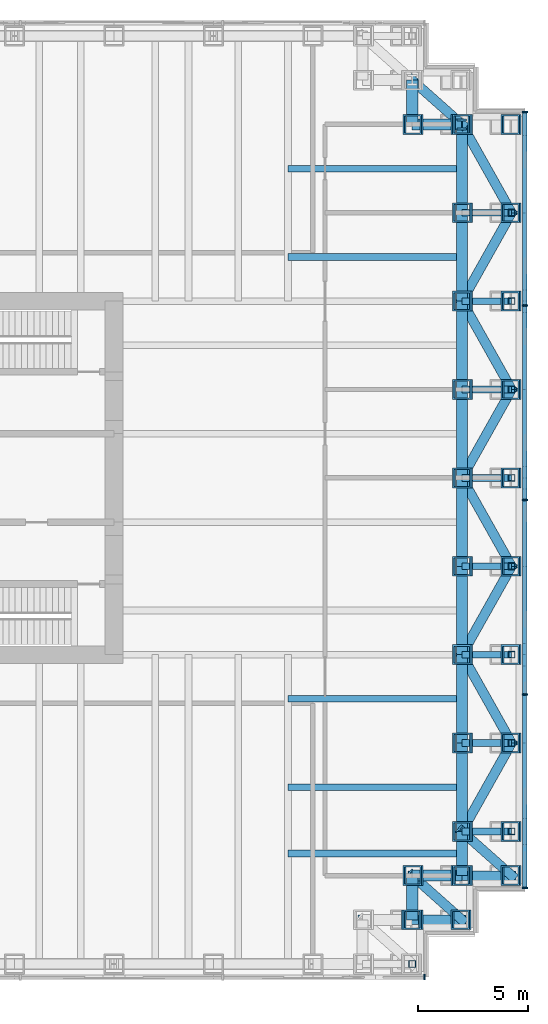
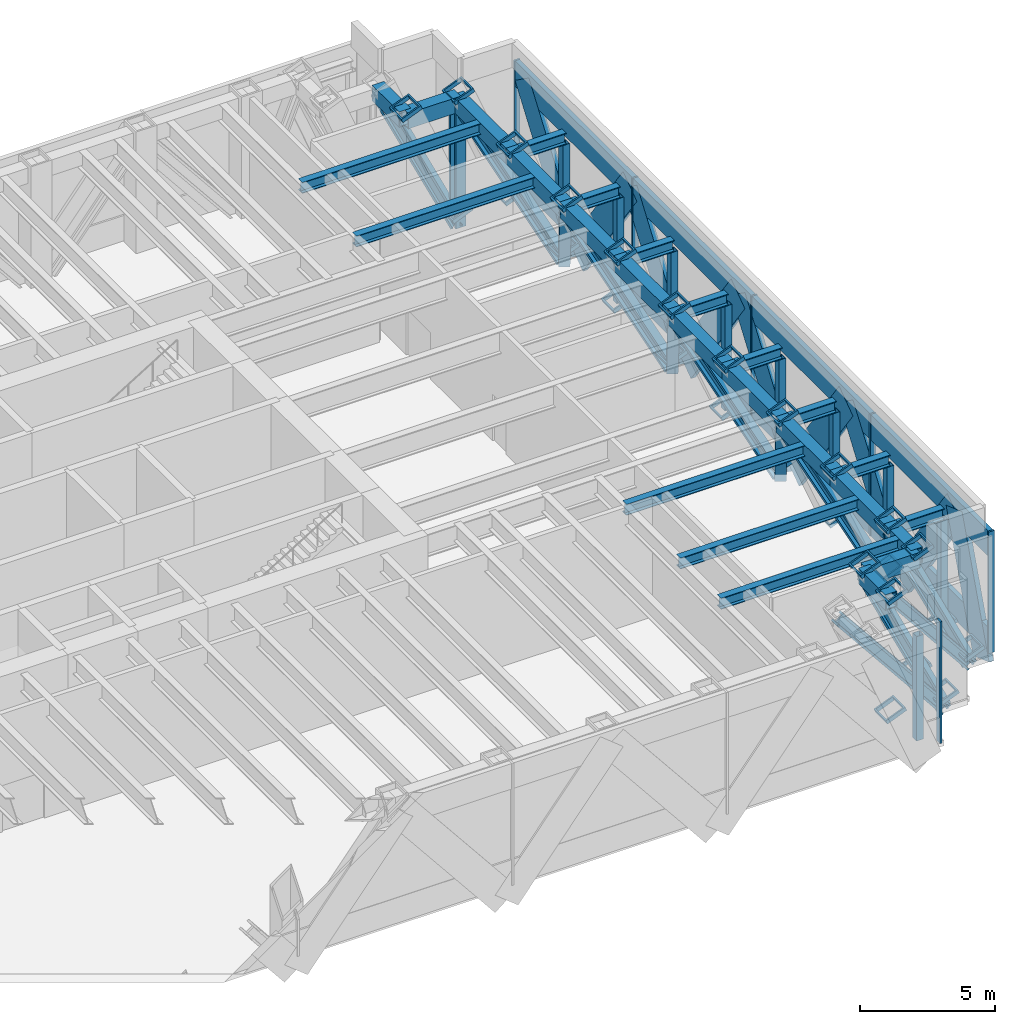
# One storey, part 7 of 17: 73 members, 26 beams, 2 elements without a shape of their own.
"""IFC4 building model written with IfcOpenShell, lengths in metres."""

from ifc_helpers import new_model, si_unit, direction, frame, origin, origin_2d, place, context, subcontext, project, spatial, rectangle, hollow_rectangle, i_section, extrude, material, material_profile, profile_set, type_object, element, aggregate, save


model = new_model("IFC4")

# Units and contexts
model_context = context("Model", 3, precision=1e-05, world=origin(), true_north=direction((0.0, 1.0)))
body_context = subcontext(model_context, "Body", "Model", "MODEL_VIEW")
ifc_project = project(units=[si_unit("LENGTHUNIT", "METRE"), si_unit("AREAUNIT", "SQUARE_METRE"), si_unit("VOLUMEUNIT", "CUBIC_METRE"), si_unit("PLANEANGLEUNIT", "RADIAN"), si_unit("MASSUNIT", "GRAM", prefix="KILO")], contexts=[model_context])

# Site, building, storey
site_placement = place(None, origin())
site = spatial("IfcSite", under=ifc_project, at=site_placement, CompositionType="ELEMENT")
building_placement = place(site_placement, origin())
building = spatial("IfcBuilding", under=site, at=building_placement, Name="Rheinbord Bourse Tower", CompositionType="ELEMENT")
storey_placement = place(building_placement, frame((0.0, 0.0, 265.60009765625)))
storey = spatial("IfcBuildingStorey", under=building, at=storey_placement, Name="L60", CompositionType="ELEMENT", Elevation=265.60009765625)

# Beams
ifc_material_1 = material(Name="Steel S460M", Category="steel")
ifc_material_profile_1 = material_profile(ifc_material_1, hollow_rectangle(XDim=0.5, YDim=0.699951171875, WallThickness=0.0400390625, at=origin_2d()), Name="BOX 700x500x40")
ifc_profile_set_1 = profile_set([ifc_material_profile_1], Name="Steel S460M")
beam_type_1 = type_object("IfcBeamType", Name="BELT CHORD BOX 700x500x40", PredefinedType="SPANDREL", material=ifc_profile_set_1)
beam_1_placement = place(storey_placement, frame((67.5, 4.0, 4.989990234375), z_axis=(0.0, 1.0, 0.0), x_axis=(-1.0, 0.0, 0.0)))
element("IfcBeam", 1, at=beam_1_placement, inside=storey, type_object=beam_type_1, Name="Spandrel SE-C-SE-B under L61", PredefinedType="SPANDREL", context=body_context, shape_type="SweptSolid", body=[
    extrude(hollow_rectangle(XDim=0.5, YDim=0.699951171875, WallThickness=0.0400390625, at=origin_2d()), origin(), (0.0, 0.0, 1.0), 2.0),
])
beam_2_placement = place(storey_placement, frame((67.5, 6.0, 4.989990234375), z_axis=(1.0, 0.0, 0.0), x_axis=(0.0, 1.0, 0.0)))
element("IfcBeam", 2, at=beam_2_placement, inside=storey, type_object=beam_type_1, Name="Spandrel SE-B-SE-A under L61", PredefinedType="SPANDREL", context=body_context, shape_type="SweptSolid", body=[
    extrude(hollow_rectangle(XDim=0.5, YDim=0.699951171875, WallThickness=0.0400390625, at=origin_2d()), origin(), (0.0, 0.0, 1.0), 2.25),
])
beam_3_placement = place(storey_placement, frame((69.75, 6.0, 4.989990234375), z_axis=(0.0, 1.0, 0.0), x_axis=(-1.0, 0.0, 0.0)))
element("IfcBeam", 3, at=beam_3_placement, inside=storey, type_object=beam_type_1, Name="Spandrel SE-A-E-8 under L61", PredefinedType="SPANDREL", context=body_context, shape_type="SweptSolid", body=[
    extrude(hollow_rectangle(XDim=0.5, YDim=0.699951171875, WallThickness=0.0400390625, at=origin_2d()), origin(), (0.0, 0.0, 1.0), 2.0),
])
for number, where, z_axis, x_axis, name in (
    (4, (69.75, 8.0, 4.989990234375), (0.0, 1.0, 0.0), (-1.0, 0.0, 0.0), "Spandrel E-8-E-12 under L61"),
    (5, (69.75, 12.0, 4.989990234375), (0.0, 1.0, 0.0), (-1.0, 0.0, 0.0), "Spandrel E-12-E-16 under L61"),
    (6, (69.75, 16.0, 4.989990234375), (0.0, 1.0, 0.0), (-1.0, 0.0, 0.0), "Spandrel E-16-E-20 under L61"),
    (7, (69.75, 20.0, 4.989990234375), (0.0, 1.0, 0.0), (-1.0, 0.0, 0.0), "Spandrel E-20-E-24 under L61"),
    (8, (69.75, 24.0, 4.989990234375), (0.0, 1.0, 0.0), (-1.0, 0.0, 0.0), "Spandrel E-24-E-28 under L61"),
    (9, (69.75, 28.0, 4.989990234375), (0.0, 1.0, 0.0), (-1.0, 0.0, 0.0), "Spandrel E-28-E-32 under L61"),
    (10, (69.75, 32.0, 4.989990234375), (0.0, 1.0, 0.0), (-1.0, 0.0, 0.0), "Spandrel E-32-E-36 under L61"),
    (11, (69.75, 36.0, 4.989990234375), (0.0, 1.0, 0.0), (-1.0, 0.0, 0.0), "Spandrel E-36-NE-A under L61"),
):
    element("IfcBeam", number, at=place(storey_placement, frame(where, z_axis=z_axis, x_axis=x_axis)), inside=storey, type_object=beam_type_1, Name=name, PredefinedType="SPANDREL", context=body_context, shape_type="SweptSolid", body=[
        extrude(hollow_rectangle(XDim=0.5, YDim=0.699951171875, WallThickness=0.0400390625, at=origin_2d()), origin(), (0.0, 0.0, 1.0), 4.0),
    ])
beam_4_placement = place(storey_placement, frame((69.75, 40.0, 4.989990234375), z_axis=(-1.0, 0.0, 0.0), x_axis=(0.0, -1.0, 0.0)))
element("IfcBeam", 12, at=beam_4_placement, inside=storey, type_object=beam_type_1, Name="Spandrel NE-A-NE-B under L61", PredefinedType="SPANDREL", context=body_context, shape_type="SweptSolid", body=[
    extrude(hollow_rectangle(XDim=0.5, YDim=0.699951171875, WallThickness=0.0400390625, at=origin_2d()), origin(), (0.0, 0.0, 1.0), 2.25),
])
beam_5_placement = place(storey_placement, frame((67.5, 40.0, 4.989990234375), z_axis=(0.0, 1.0, 0.0), x_axis=(-1.0, 0.0, 0.0)))
element("IfcBeam", 13, at=beam_5_placement, inside=storey, type_object=beam_type_1, Name="Spandrel NE-B-NE-C under L61", PredefinedType="SPANDREL", context=body_context, shape_type="SweptSolid", body=[
    extrude(hollow_rectangle(XDim=0.5, YDim=0.699951171875, WallThickness=0.0400390625, at=origin_2d()), origin(), (0.0, 0.0, 1.0), 2.0),
])

# Members
ifc_material_2 = material(Name="Steel S460", Category="steel")
ifc_material_profile_2 = material_profile(ifc_material_2, i_section(OverallWidth=0.431884765625, OverallDepth=0.498046875, WebThickness=0.0556640625, FlangeThickness=0.0888671875, at=origin_2d()), Name="HD 400x744")
ifc_profile_set_2 = profile_set([ifc_material_profile_2], Name="Steel S460")
member_type_1 = type_object("IfcMemberType", Name="BELT DIAGONAL HD 400x744", PredefinedType="STRUT", material=ifc_profile_set_2)
member_1_placement = place(storey_placement, frame((69.75, 4.0, -0.60009765625), z_axis=(-0.627065297878, 0.0, 0.778966695178), x_axis=(0.0, -1.0, 0.0)))
element("IfcMember", 14, at=member_1_placement, inside=storey, type_object=member_type_1, Name="Belt truss diagonal SE-D-SE-C L60", PredefinedType="STRUT", context=body_context, shape_type="SweptSolid", body=[
    extrude(i_section(OverallWidth=0.431884765625, OverallDepth=0.498046875, WebThickness=0.0556640625, FlangeThickness=0.0888671875, at=origin_2d()), origin(), (0.0, 0.0, 1.0), 7.17626953125),
])
member_2_placement = place(storey_placement, frame((69.75, 4.0, -0.60009765625), z_axis=(-0.35437868618, 0.315003276604, 0.880448001026), x_axis=(-0.66436383883, -0.747409318684, 0.0)))
element("IfcMember", 15, at=member_2_placement, inside=storey, type_object=member_type_1, Name="Belt truss diagonal SE-C-SE-B L60", PredefinedType="STRUT", context=body_context, shape_type="SweptSolid", body=[
    extrude(i_section(OverallWidth=0.431884765625, OverallDepth=0.498046875, WebThickness=0.0556640625, FlangeThickness=0.0888671875, at=origin_2d()), origin(), (0.0, 0.0, 1.0), 6.34912109375),
])
member_3_placement = place(storey_placement, frame((72.0, 6.0, -0.60009765625), z_axis=(-0.627065297878, 0.0, 0.778966695178), x_axis=(0.0, -1.0, 0.0)))
element("IfcMember", 16, at=member_3_placement, inside=storey, type_object=member_type_1, Name="Belt truss diagonal SE-B-SE-A L60", PredefinedType="STRUT", context=body_context, shape_type="SweptSolid", body=[
    extrude(i_section(OverallWidth=0.431884765625, OverallDepth=0.498046875, WebThickness=0.0556640625, FlangeThickness=0.0888671875, at=origin_2d()), origin(), (0.0, 0.0, 1.0), 7.17626953125),
])
member_4_placement = place(storey_placement, frame((72.0, 6.0, -0.60009765625), z_axis=(-0.35437868618, 0.315003276604, 0.880448001026), x_axis=(-0.66436383883, -0.747409318684, 0.0)))
element("IfcMember", 17, at=member_4_placement, inside=storey, type_object=member_type_1, Name="Belt truss diagonal SE-A-E-8 L60", PredefinedType="STRUT", context=body_context, shape_type="SweptSolid", body=[
    extrude(i_section(OverallWidth=0.431884765625, OverallDepth=0.498046875, WebThickness=0.0556640625, FlangeThickness=0.0888671875, at=origin_2d()), origin(), (0.0, 0.0, 1.0), 6.34912109375),
])
for number, where, z_axis, x_axis, name in (
    (18, (72.0, 12.0, -0.60009765625), (-0.311088236121, -0.553045753105, 0.772893591848), (0.871575537125, -0.490261239633, 0.0), "Belt truss diagonal E-8-E-12 L60"),
    (19, (72.0, 12.0, -0.60009765625), (-0.311088236121, 0.553045753105, 0.772893591848), (-0.871575537125, -0.490261239633, 0.0), "Belt truss diagonal E-12-E-16 L60"),
    (20, (72.0, 20.0, -0.60009765625), (-0.311088236121, -0.553045753105, 0.772893591848), (0.871575537125, -0.490261239633, 0.0), "Belt truss diagonal E-16-E-20 L60"),
    (21, (72.0, 20.0, -0.60009765625), (-0.311088236121, 0.553045753105, 0.772893591848), (-0.871575537125, -0.490261239633, 0.0), "Belt truss diagonal E-20-E-24 L60"),
    (22, (72.0, 28.0, -0.60009765625), (-0.311088236121, -0.553045753105, 0.772893591848), (0.871575537125, -0.490261239633, 0.0), "Belt truss diagonal E-24-E-28 L60"),
    (23, (72.0, 28.0, -0.60009765625), (-0.311088236121, 0.553045753105, 0.772893591848), (-0.871575537125, -0.490261239633, 0.0), "Belt truss diagonal E-28-E-32 L60"),
    (24, (72.0, 36.0, -0.60009765625), (-0.311088236121, -0.553045753105, 0.772893591848), (0.871575537125, -0.490261239633, 0.0), "Belt truss diagonal E-32-E-36 L60"),
    (25, (72.0, 36.0, -0.60009765625), (-0.311088236121, 0.553045753105, 0.772893591848), (-0.871575537125, -0.490261239633, 0.0), "Belt truss diagonal E-36-NE-A L60"),
):
    element("IfcMember", number, at=place(storey_placement, frame(where, z_axis=z_axis, x_axis=x_axis)), inside=storey, type_object=member_type_1, Name=name, PredefinedType="STRUT", context=body_context, shape_type="SweptSolid", body=[
        extrude(i_section(OverallWidth=0.431884765625, OverallDepth=0.498046875, WebThickness=0.0556640625, FlangeThickness=0.0888671875, at=origin_2d()), origin(), (0.0, 0.0, 1.0), 7.232666015625),
    ])
member_5_placement = place(storey_placement, frame((69.75, 40.0, -0.60009765625), z_axis=(0.0, 0.0, 1.0), x_axis=(1.0, 0.0, 0.0)))
element("IfcMember", 26, at=member_5_placement, inside=storey, type_object=member_type_1, Name="Belt truss diagonal NE-A-NE-B L60", PredefinedType="STRUT", context=body_context, shape_type="SweptSolid", body=[
    extrude(i_section(OverallWidth=0.431884765625, OverallDepth=0.498046875, WebThickness=0.0556640625, FlangeThickness=0.0888671875, at=origin_2d()), origin(), (0.0, 0.0, 1.0), 5.590087890625),
])
member_6_placement = place(storey_placement, frame((69.75, 40.0, -0.60009765625), z_axis=(-0.35437868618, 0.315003276604, 0.880448001026), x_axis=(-0.66436383883, -0.747409318684, 0.0)))
element("IfcMember", 27, at=member_6_placement, inside=storey, type_object=member_type_1, Name="Belt truss diagonal NE-B-NE-C L60", PredefinedType="STRUT", context=body_context, shape_type="SweptSolid", body=[
    extrude(i_section(OverallWidth=0.431884765625, OverallDepth=0.498046875, WebThickness=0.0556640625, FlangeThickness=0.0888671875, at=origin_2d()), origin(), (0.0, 0.0, 1.0), 6.34912109375),
])

# Curtain wall, members
ifc_material_3 = material(Name="Dark glass and black aluminium", Category="aluminium")
curtain_wall_type = type_object("IfcCurtainWallType", Name="CW5 DARK GLASS CURTAIN WALL", PredefinedType="USERDEFINED", material=ifc_material_3)
curtain_wall_1_placement = place(storey_placement, origin())
curtain_wall_1 = element("IfcCurtainWall", 28, at=curtain_wall_1_placement, inside=storey, type_object=curtain_wall_type, Name="Curtain wall CW5 E L60", ObjectType="UNITISED CURTAIN WALL", PredefinedType="USERDEFINED")
ifc_material_4 = material(Name="Black anodised aluminium", Category="aluminium")
ifc_material_profile_3 = material_profile(ifc_material_4, rectangle(XDim=0.199951171875, YDim=1.259033203125, at=origin_2d()), Name="CW5 DIAGONAL MULLION 1259x200")
ifc_profile_set_3 = profile_set([ifc_material_profile_3], Name="Black anodised aluminium")
member_type_2 = type_object("IfcMemberType", Name="CW5 BLACK DIAGONAL MULLION", PredefinedType="USERDEFINED", material=ifc_profile_set_3)
member_7_placement = place(storey_placement, frame((72.60009765625, 6.0, -0.60009765625), z_axis=(0.0, 0.336865151883, 0.941552903159), x_axis=(-1.0, 0.0, 0.0)))
member_7 = element("IfcMember", 29, at=member_7_placement, type_object=member_type_2, Name="CW5 diagonal mullion belt SE-A", ObjectType="DIAGONAL MULLION", PredefinedType="USERDEFINED", context=body_context, shape_type="SweptSolid", body=[
    extrude(rectangle(XDim=0.199951171875, YDim=1.259033203125, at=origin_2d()), origin(), (0.0, 0.0, 1.0), 5.93701171875),
])
member_8_placement = place(storey_placement, frame((72.60009765625, 12.0, -0.60009765625), z_axis=(0.0, -0.581920023079, 0.813246018582), x_axis=(1.0, 0.0, 0.0)))
member_8 = element("IfcMember", 30, at=member_8_placement, type_object=member_type_2, Name="CW5 diagonal mullion belt E-8", ObjectType="DIAGONAL MULLION", PredefinedType="USERDEFINED", context=body_context, shape_type="SweptSolid", body=[
    extrude(rectangle(XDim=0.199951171875, YDim=1.259033203125, at=origin_2d()), origin(), (0.0, 0.0, 1.0), 6.873779296875),
])
member_9_placement = place(storey_placement, frame((72.60009765625, 12.0, -0.60009765625), z_axis=(0.0, 0.581920023079, 0.813246018582), x_axis=(-1.0, 0.0, 0.0)))
member_9 = element("IfcMember", 31, at=member_9_placement, type_object=member_type_2, Name="CW5 diagonal mullion belt E-12", ObjectType="DIAGONAL MULLION", PredefinedType="USERDEFINED", context=body_context, shape_type="SweptSolid", body=[
    extrude(rectangle(XDim=0.199951171875, YDim=1.259033203125, at=origin_2d()), origin(), (0.0, 0.0, 1.0), 6.873779296875),
])
member_10_placement = place(storey_placement, frame((72.60009765625, 20.0, -0.60009765625), z_axis=(0.0, -0.581920023079, 0.813246018582), x_axis=(1.0, 0.0, 0.0)))
member_10 = element("IfcMember", 32, at=member_10_placement, type_object=member_type_2, Name="CW5 diagonal mullion belt E-16", ObjectType="DIAGONAL MULLION", PredefinedType="USERDEFINED", context=body_context, shape_type="SweptSolid", body=[
    extrude(rectangle(XDim=0.199951171875, YDim=1.259033203125, at=origin_2d()), origin(), (0.0, 0.0, 1.0), 6.873779296875),
])
member_11_placement = place(storey_placement, frame((72.60009765625, 20.0, -0.60009765625), z_axis=(0.0, 0.581920023079, 0.813246018582), x_axis=(-1.0, 0.0, 0.0)))
member_11 = element("IfcMember", 33, at=member_11_placement, type_object=member_type_2, Name="CW5 diagonal mullion belt E-20", ObjectType="DIAGONAL MULLION", PredefinedType="USERDEFINED", context=body_context, shape_type="SweptSolid", body=[
    extrude(rectangle(XDim=0.199951171875, YDim=1.259033203125, at=origin_2d()), origin(), (0.0, 0.0, 1.0), 6.873779296875),
])
member_12_placement = place(storey_placement, frame((72.60009765625, 28.0, -0.60009765625), z_axis=(0.0, -0.581920023079, 0.813246018582), x_axis=(1.0, 0.0, 0.0)))
member_12 = element("IfcMember", 34, at=member_12_placement, type_object=member_type_2, Name="CW5 diagonal mullion belt E-24", ObjectType="DIAGONAL MULLION", PredefinedType="USERDEFINED", context=body_context, shape_type="SweptSolid", body=[
    extrude(rectangle(XDim=0.199951171875, YDim=1.259033203125, at=origin_2d()), origin(), (0.0, 0.0, 1.0), 6.873779296875),
])
member_13_placement = place(storey_placement, frame((72.60009765625, 28.0, -0.60009765625), z_axis=(0.0, 0.581920023079, 0.813246018582), x_axis=(-1.0, 0.0, 0.0)))
member_13 = element("IfcMember", 35, at=member_13_placement, type_object=member_type_2, Name="CW5 diagonal mullion belt E-28", ObjectType="DIAGONAL MULLION", PredefinedType="USERDEFINED", context=body_context, shape_type="SweptSolid", body=[
    extrude(rectangle(XDim=0.199951171875, YDim=1.259033203125, at=origin_2d()), origin(), (0.0, 0.0, 1.0), 6.873779296875),
])
member_14_placement = place(storey_placement, frame((72.60009765625, 36.0, -0.60009765625), z_axis=(0.0, -0.581920023079, 0.813246018582), x_axis=(1.0, 0.0, 0.0)))
member_14 = element("IfcMember", 36, at=member_14_placement, type_object=member_type_2, Name="CW5 diagonal mullion belt E-32", ObjectType="DIAGONAL MULLION", PredefinedType="USERDEFINED", context=body_context, shape_type="SweptSolid", body=[
    extrude(rectangle(XDim=0.199951171875, YDim=1.259033203125, at=origin_2d()), origin(), (0.0, 0.0, 1.0), 6.873779296875),
])
member_15_placement = place(storey_placement, frame((72.60009765625, 36.0, -0.60009765625), z_axis=(0.0, 0.581920023079, 0.813246018582), x_axis=(-1.0, 0.0, 0.0)))
member_15 = element("IfcMember", 37, at=member_15_placement, type_object=member_type_2, Name="CW5 diagonal mullion belt E-36", ObjectType="DIAGONAL MULLION", PredefinedType="USERDEFINED", context=body_context, shape_type="SweptSolid", body=[
    extrude(rectangle(XDim=0.199951171875, YDim=1.259033203125, at=origin_2d()), origin(), (0.0, 0.0, 1.0), 6.873779296875),
])

# Curtain wall, member
curtain_wall_2_placement = place(storey_placement, origin())
curtain_wall_2 = element("IfcCurtainWall", 38, at=curtain_wall_2_placement, inside=storey, type_object=curtain_wall_type, Name="Curtain wall CW5 S L60", ObjectType="UNITISED CURTAIN WALL", PredefinedType="USERDEFINED")
ifc_material_5 = material(Name="Black anodised aluminium", Category="aluminium")
ifc_material_profile_4 = material_profile(ifc_material_5, rectangle(XDim=0.25, YDim=0.080078125, at=origin_2d()), Name="CW5 MULLION 80x250")
ifc_profile_set_4 = profile_set([ifc_material_profile_4], Name="Black anodised aluminium")
member_type_3 = type_object("IfcMemberType", Name="CW5 BLACK MULLION", PredefinedType="MULLION", material=ifc_profile_set_4)
member_16_placement = place(storey_placement, frame((68.06005859375, 1.39990234375, 0.0), z_axis=(0.0, 0.0, 1.0), x_axis=(0.0, 1.0, 0.0)))
member_16 = element("IfcMember", 39, at=member_16_placement, type_object=member_type_3, Name="CW5 mullion 8", PredefinedType="MULLION", context=body_context, shape_type="SweptSolid", body=[
    extrude(rectangle(XDim=0.25, YDim=0.080078125, at=origin_2d()), origin(), (0.0, 0.0, 1.0), 5.5),
])
aggregate(curtain_wall_2, [member_16])

# Member
member_17_placement = place(storey_placement, frame((72.60009765625, 5.43994140625, 0.0), z_axis=(0.0, 0.0, 1.0), x_axis=(-1.0, 0.0, 0.0)))
member_17 = element("IfcMember", 40, at=member_17_placement, type_object=member_type_3, Name="CW5 mullion 1", PredefinedType="MULLION", context=body_context, shape_type="SweptSolid", body=[
    extrude(rectangle(XDim=0.25, YDim=0.080078125, at=origin_2d()), origin(), (0.0, 0.0, 1.0), 5.5),
])

member_18_placement = place(storey_placement, frame((72.60009765625, 14.199951171875, 0.0), z_axis=(0.0, 0.0, 1.0), x_axis=(-1.0, 0.0, 0.0)))
member_18 = element("IfcMember", 41, at=member_18_placement, type_object=member_type_3, Name="CW5 mullion 2", PredefinedType="MULLION", context=body_context, shape_type="SweptSolid", body=[
    extrude(rectangle(XDim=0.25, YDim=0.080078125, at=origin_2d()), origin(), (0.0, 0.0, 1.0), 5.5),
])

member_19_placement = place(storey_placement, frame((72.60009765625, 23.0, 0.0), z_axis=(0.0, 0.0, 1.0), x_axis=(-1.0, 0.0, 0.0)))
member_19 = element("IfcMember", 42, at=member_19_placement, type_object=member_type_3, Name="CW5 mullion 3", PredefinedType="MULLION", context=body_context, shape_type="SweptSolid", body=[
    extrude(rectangle(XDim=0.25, YDim=0.080078125, at=origin_2d()), origin(), (0.0, 0.0, 1.0), 5.5),
])

member_20_placement = place(storey_placement, frame((72.60009765625, 31.800048828125, 0.0), z_axis=(0.0, 0.0, 1.0), x_axis=(-1.0, 0.0, 0.0)))
member_20 = element("IfcMember", 43, at=member_20_placement, type_object=member_type_3, Name="CW5 mullion 4", PredefinedType="MULLION", context=body_context, shape_type="SweptSolid", body=[
    extrude(rectangle(XDim=0.25, YDim=0.080078125, at=origin_2d()), origin(), (0.0, 0.0, 1.0), 5.5),
])

member_21_placement = place(storey_placement, frame((72.60009765625, 40.56005859375, 0.0), z_axis=(0.0, 0.0, 1.0), x_axis=(-1.0, 0.0, 0.0)))
member_21 = element("IfcMember", 44, at=member_21_placement, type_object=member_type_3, Name="CW5 mullion 5", PredefinedType="MULLION", context=body_context, shape_type="SweptSolid", body=[
    extrude(rectangle(XDim=0.25, YDim=0.080078125, at=origin_2d()), origin(), (0.0, 0.0, 1.0), 5.5),
])

ifc_material_6 = material(Name="Black anodised aluminium", Category="aluminium")
ifc_material_profile_5 = material_profile(ifc_material_6, rectangle(XDim=0.199951171875, YDim=1.14990234375, at=origin_2d()), Name="CW5 TRANSOM 1150x200")
ifc_profile_set_5 = profile_set([ifc_material_profile_5], Name="Black anodised aluminium")
member_type_4 = type_object("IfcMemberType", Name="CW5 BLACK TRANSOM", PredefinedType="USERDEFINED", material=ifc_profile_set_5)
member_22_placement = place(storey_placement, frame((72.60009765625, 5.47998046875, 0.574951171875), z_axis=(0.0, 1.0, 0.0), x_axis=(-1.0, 0.0, 0.0)))
member_22 = element("IfcMember", 45, at=member_22_placement, type_object=member_type_4, Name="CW5 transom 1.1", ObjectType="TRANSOM", PredefinedType="USERDEFINED", context=body_context, shape_type="SweptSolid", body=[
    extrude(rectangle(XDim=0.199951171875, YDim=1.14990234375, at=origin_2d()), origin(), (0.0, 0.0, 1.0), 8.679931640625),
])

member_23_placement = place(storey_placement, frame((72.60009765625, 5.47998046875, 4.9248046875), z_axis=(0.0, 1.0, 0.0), x_axis=(-1.0, 0.0, 0.0)))
member_23 = element("IfcMember", 46, at=member_23_placement, type_object=member_type_4, Name="CW5 transom 1.2", ObjectType="TRANSOM", PredefinedType="USERDEFINED", context=body_context, shape_type="SweptSolid", body=[
    extrude(rectangle(XDim=0.199951171875, YDim=1.14990234375, at=origin_2d()), origin(), (0.0, 0.0, 1.0), 8.679931640625),
])

member_24_placement = place(storey_placement, frame((72.60009765625, 14.239990234375, 0.574951171875), z_axis=(0.0, 1.0, 0.0), x_axis=(-1.0, 0.0, 0.0)))
member_24 = element("IfcMember", 47, at=member_24_placement, type_object=member_type_4, Name="CW5 transom 2.1", ObjectType="TRANSOM", PredefinedType="USERDEFINED", context=body_context, shape_type="SweptSolid", body=[
    extrude(rectangle(XDim=0.199951171875, YDim=1.14990234375, at=origin_2d()), origin(), (0.0, 0.0, 1.0), 8.719970703125),
])

member_25_placement = place(storey_placement, frame((72.60009765625, 14.239990234375, 4.9248046875), z_axis=(0.0, 1.0, 0.0), x_axis=(-1.0, 0.0, 0.0)))
member_25 = element("IfcMember", 48, at=member_25_placement, type_object=member_type_4, Name="CW5 transom 2.2", ObjectType="TRANSOM", PredefinedType="USERDEFINED", context=body_context, shape_type="SweptSolid", body=[
    extrude(rectangle(XDim=0.199951171875, YDim=1.14990234375, at=origin_2d()), origin(), (0.0, 0.0, 1.0), 8.719970703125),
])

member_26_placement = place(storey_placement, frame((72.60009765625, 23.0400390625, 0.574951171875), z_axis=(0.0, 1.0, 0.0), x_axis=(-1.0, 0.0, 0.0)))
member_26 = element("IfcMember", 49, at=member_26_placement, type_object=member_type_4, Name="CW5 transom 3.1", ObjectType="TRANSOM", PredefinedType="USERDEFINED", context=body_context, shape_type="SweptSolid", body=[
    extrude(rectangle(XDim=0.199951171875, YDim=1.14990234375, at=origin_2d()), origin(), (0.0, 0.0, 1.0), 8.719970703125),
])

member_27_placement = place(storey_placement, frame((72.60009765625, 23.0400390625, 4.9248046875), z_axis=(0.0, 1.0, 0.0), x_axis=(-1.0, 0.0, 0.0)))
member_27 = element("IfcMember", 50, at=member_27_placement, type_object=member_type_4, Name="CW5 transom 3.2", ObjectType="TRANSOM", PredefinedType="USERDEFINED", context=body_context, shape_type="SweptSolid", body=[
    extrude(rectangle(XDim=0.199951171875, YDim=1.14990234375, at=origin_2d()), origin(), (0.0, 0.0, 1.0), 8.719970703125),
])

member_28_placement = place(storey_placement, frame((72.60009765625, 31.840087890625, 0.574951171875), z_axis=(0.0, 1.0, 0.0), x_axis=(-1.0, 0.0, 0.0)))
member_28 = element("IfcMember", 51, at=member_28_placement, type_object=member_type_4, Name="CW5 transom 4.1", ObjectType="TRANSOM", PredefinedType="USERDEFINED", context=body_context, shape_type="SweptSolid", body=[
    extrude(rectangle(XDim=0.199951171875, YDim=1.14990234375, at=origin_2d()), origin(), (0.0, 0.0, 1.0), 8.679931640625),
])

member_29_placement = place(storey_placement, frame((72.60009765625, 31.840087890625, 4.9248046875), z_axis=(0.0, 1.0, 0.0), x_axis=(-1.0, 0.0, 0.0)))
member_29 = element("IfcMember", 52, at=member_29_placement, type_object=member_type_4, Name="CW5 transom 4.2", ObjectType="TRANSOM", PredefinedType="USERDEFINED", context=body_context, shape_type="SweptSolid", body=[
    extrude(rectangle(XDim=0.199951171875, YDim=1.14990234375, at=origin_2d()), origin(), (0.0, 0.0, 1.0), 8.679931640625),
])

aggregate(curtain_wall_1, [member_17, member_18, member_19, member_20, member_21, member_22, member_23, member_24, member_25, member_26, member_27, member_28, member_29, member_7, member_8, member_9, member_10, member_11, member_12, member_13, member_14, member_15])

# Members
ifc_material_7 = material(Name="Steel S460", Category="steel")
ifc_material_profile_6 = material_profile(ifc_material_7, hollow_rectangle(XDim=0.300048828125, YDim=0.300048828125, WallThickness=0.012451171875, at=origin_2d()), Name="SHS 300x300x12.5")
ifc_profile_set_6 = profile_set([ifc_material_profile_6], Name="Steel S460")
member_type_5 = type_object("IfcMemberType", Name="LEDGE POST SHS 300x300x12.5", PredefinedType="POST", material=ifc_profile_set_6)
for number, where, z_axis, x_axis, name in (
    (53, (67.5, 2.0, 0.0), (0.0, 0.0, 1.0), (1.0, 0.0, 0.0), "Ledge post SE-E L61"),
    (54, (72.0, 8.0, 0.0), (0.0, 0.0, 1.0), (1.0, 0.0, 0.0), "Ledge post E-8 L61"),
    (55, (72.0, 12.0, 0.0), (0.0, 0.0, 1.0), (1.0, 0.0, 0.0), "Ledge post E-12 L61"),
    (56, (72.0, 16.0, 0.0), (0.0, 0.0, 1.0), (1.0, 0.0, 0.0), "Ledge post E-16 L61"),
    (57, (72.0, 20.0, 0.0), (0.0, 0.0, 1.0), (1.0, 0.0, 0.0), "Ledge post E-20 L61"),
    (58, (72.0, 24.0, 0.0), (0.0, 0.0, 1.0), (1.0, 0.0, 0.0), "Ledge post E-24 L61"),
    (59, (72.0, 28.0, 0.0), (0.0, 0.0, 1.0), (1.0, 0.0, 0.0), "Ledge post E-28 L61"),
    (60, (72.0, 32.0, 0.0), (0.0, 0.0, 1.0), (1.0, 0.0, 0.0), "Ledge post E-32 L61"),
    (61, (72.0, 36.0, 0.0), (0.0, 0.0, 1.0), (1.0, 0.0, 0.0), "Ledge post E-36 L61"),
):
    element("IfcMember", number, at=place(storey_placement, frame(where, z_axis=z_axis, x_axis=x_axis)), inside=storey, type_object=member_type_5, Name=name, PredefinedType="POST", context=body_context, shape_type="SweptSolid", body=[
        extrude(hollow_rectangle(XDim=0.300048828125, YDim=0.300048828125, WallThickness=0.012451171875, at=origin_2d()), origin(), (0.0, 0.0, 1.0), 4.725830078125),
    ])
ifc_material_8 = material(Name="Steel S460M", Category="steel")
ifc_material_profile_7 = material_profile(ifc_material_8, hollow_rectangle(XDim=0.89990234375, YDim=0.89990234375, WallThickness=0.070068359375, at=origin_2d()), Name="BOX 900x900x70")
ifc_profile_set_7 = profile_set([ifc_material_profile_7], Name="Steel S460M")
member_type_6 = type_object("IfcMemberType", Name="RAKING NODE PIECE BOX 900x900x70", PredefinedType="USERDEFINED", material=ifc_profile_set_7)
for number, where, z_axis, x_axis, name in (
    (62, (67.5, 4.0, 0.0), (-0.378172633109, 0.0, 0.925735091464), (0.0, -1.0, 0.0), "Node piece SE-D L60 foot"),
    (63, (69.75, 4.0, 0.0), (-0.378172633109, 0.0, 0.925735091464), (0.925735091464, 0.0, 0.378172633109), "Node piece SE-C L60 foot"),
    (64, (67.5703125, 4.0, 5.32763671875), (-0.37771344485, 0.0, 0.92592254189), (0.92592254189, 0.0, 0.37771344485), "Node piece SE-C L60 head"),
    (65, (69.75, 6.0, 0.0), (-0.378172633109, 0.0, 0.925735091464), (0.925735091464, 0.0, 0.378172633109), "Node piece SE-B L60 foot"),
    (66, (67.5703125, 6.0, 5.32763671875), (-0.37771344485, 0.0, 0.92592254189), (0.92592254189, 0.0, 0.37771344485), "Node piece SE-B L60 head"),
    (67, (72.0, 6.0, 0.0), (-0.378172633109, 0.0, 0.925735091464), (0.925735091464, 0.0, 0.378172633109), "Node piece SE-A L60 foot"),
    (68, (69.8203125, 6.0, 5.32763671875), (-0.37771344485, 0.0, 0.92592254189), (0.92592254189, 0.0, 0.37771344485), "Node piece SE-A L60 head"),
    (69, (72.0, 8.0, 0.0), (-0.378172633109, 0.0, 0.925735091464), (0.925735091464, 0.0, 0.378172633109), "Node piece E-8 L60 foot"),
    (70, (69.8203125, 8.0, 5.32763671875), (-0.37771344485, 0.0, 0.92592254189), (0.92592254189, 0.0, 0.37771344485), "Node piece E-8 L60 head"),
    (71, (72.0, 12.0, 0.0), (-0.378172633109, 0.0, 0.925735091464), (0.925735091464, 0.0, 0.378172633109), "Node piece E-12 L60 foot"),
    (72, (69.8203125, 12.0, 5.32763671875), (-0.37771344485, 0.0, 0.92592254189), (0.92592254189, 0.0, 0.37771344485), "Node piece E-12 L60 head"),
    (73, (72.0, 16.0, 0.0), (-0.378172633109, 0.0, 0.925735091464), (0.925735091464, 0.0, 0.378172633109), "Node piece E-16 L60 foot"),
    (74, (69.8203125, 16.0, 5.32763671875), (-0.37771344485, 0.0, 0.92592254189), (0.92592254189, 0.0, 0.37771344485), "Node piece E-16 L60 head"),
    (75, (72.0, 20.0, 0.0), (-0.378172633109, 0.0, 0.925735091464), (0.925735091464, 0.0, 0.378172633109), "Node piece E-20 L60 foot"),
    (76, (69.8203125, 20.0, 5.32763671875), (-0.37771344485, 0.0, 0.92592254189), (0.92592254189, 0.0, 0.37771344485), "Node piece E-20 L60 head"),
    (77, (72.0, 24.0, 0.0), (-0.378172633109, 0.0, 0.925735091464), (0.925735091464, 0.0, 0.378172633109), "Node piece E-24 L60 foot"),
    (78, (69.8203125, 24.0, 5.32763671875), (-0.37771344485, 0.0, 0.92592254189), (0.92592254189, 0.0, 0.37771344485), "Node piece E-24 L60 head"),
    (79, (72.0, 28.0, 0.0), (-0.378172633109, 0.0, 0.925735091464), (0.925735091464, 0.0, 0.378172633109), "Node piece E-28 L60 foot"),
    (80, (69.8203125, 28.0, 5.32763671875), (-0.37771344485, 0.0, 0.92592254189), (0.92592254189, 0.0, 0.37771344485), "Node piece E-28 L60 head"),
    (81, (72.0, 32.0, 0.0), (-0.378172633109, 0.0, 0.925735091464), (0.925735091464, 0.0, 0.378172633109), "Node piece E-32 L60 foot"),
    (82, (69.8203125, 32.0, 5.32763671875), (-0.37771344485, 0.0, 0.92592254189), (0.92592254189, 0.0, 0.37771344485), "Node piece E-32 L60 head"),
    (83, (72.0, 36.0, 0.0), (-0.378172633109, 0.0, 0.925735091464), (0.925735091464, 0.0, 0.378172633109), "Node piece E-36 L60 foot"),
    (84, (69.8203125, 36.0, 5.32763671875), (-0.37771344485, 0.0, 0.92592254189), (0.92592254189, 0.0, 0.37771344485), "Node piece E-36 L60 head"),
    (85, (72.0, 40.0, 0.0), (-0.378172633109, 0.0, 0.925735091464), (0.925735091464, 0.0, 0.378172633109), "Node piece NE-A L60 foot"),
    (86, (69.8203125, 40.0, 5.32763671875), (-0.37771344485, 0.0, 0.92592254189), (0.92592254189, 0.0, 0.37771344485), "Node piece NE-A L60 head"),
    (87, (69.75, 40.0, 0.0), (-0.378172633109, 0.0, 0.925735091464), (0.925735091464, 0.0, 0.378172633109), "Node piece NE-B L60 foot"),
    (88, (67.5703125, 40.0, 5.32763671875), (-0.37771344485, 0.0, 0.92592254189), (0.92592254189, 0.0, 0.37771344485), "Node piece NE-B L60 head"),
):
    element("IfcMember", number, at=place(storey_placement, frame(where, z_axis=z_axis, x_axis=x_axis)), inside=storey, type_object=member_type_6, Name=name, ObjectType="NODE PIECE", PredefinedType="USERDEFINED", context=body_context, shape_type="SweptSolid", body=[
        extrude(hollow_rectangle(XDim=0.89990234375, YDim=0.89990234375, WallThickness=0.070068359375, at=origin_2d()), origin(), (0.0, 0.0, 1.0), 0.18603515625),
    ])

# Beams
ifc_material_9 = material(Name="Steel S460", Category="steel")
ifc_material_profile_8 = material_profile(ifc_material_9, i_section(OverallWidth=0.305908203125, OverallDepth=0.52392578125, WebThickness=0.02099609375, FlangeThickness=0.0400390625, at=origin_2d()), Name="HEM 500")
ifc_profile_set_8 = profile_set([ifc_material_profile_8], Name="Steel S460")
beam_type_2 = type_object("IfcBeamType", Name="SETBACK OUTLOOKER HEM 500", PredefinedType="BEAM", material=ifc_profile_set_8)
for number, where, z_axis, x_axis, name in (
    (89, (69.75, 8.0, 4.98779296875), (1.0, 0.0, 0.0), (0.0, 1.0, 0.0), "Setback outlooker E-8 L61"),
    (90, (69.75, 12.0, 4.98779296875), (1.0, 0.0, 0.0), (0.0, 1.0, 0.0), "Setback outlooker E-12 L61"),
    (91, (69.75, 16.0, 4.98779296875), (1.0, 0.0, 0.0), (0.0, 1.0, 0.0), "Setback outlooker E-16 L61"),
    (92, (69.75, 20.0, 4.98779296875), (1.0, 0.0, 0.0), (0.0, 1.0, 0.0), "Setback outlooker E-20 L61"),
    (93, (69.75, 24.0, 4.98779296875), (1.0, 0.0, 0.0), (0.0, 1.0, 0.0), "Setback outlooker E-24 L61"),
    (94, (69.75, 28.0, 4.98779296875), (1.0, 0.0, 0.0), (0.0, 1.0, 0.0), "Setback outlooker E-28 L61"),
    (95, (69.75, 32.0, 4.98779296875), (1.0, 0.0, 0.0), (0.0, 1.0, 0.0), "Setback outlooker E-32 L61"),
    (96, (69.75, 36.0, 4.98779296875), (1.0, 0.0, 0.0), (0.0, 1.0, 0.0), "Setback outlooker E-36 L61"),
):
    element("IfcBeam", number, at=place(storey_placement, frame(where, z_axis=z_axis, x_axis=x_axis)), inside=storey, type_object=beam_type_2, Name=name, PredefinedType="BEAM", context=body_context, shape_type="SweptSolid", body=[
        extrude(i_section(OverallWidth=0.305908203125, OverallDepth=0.52392578125, WebThickness=0.02099609375, FlangeThickness=0.0400390625, at=origin_2d()), origin(), (0.0, 0.0, 1.0), 2.25),
    ])
ifc_material_10 = material(Name="Steel S460", Category="steel")
ifc_material_profile_9 = material_profile(ifc_material_10, i_section(OverallWidth=0.300048828125, OverallDepth=0.5, WebThickness=0.014404296875, FlangeThickness=0.028076171875, at=origin_2d()), Name="HEB 500")
ifc_profile_set_9 = profile_set([ifc_material_profile_9], Name="Steel S460")
beam_type_3 = type_object("IfcBeamType", Name="TIE BEAM HEB 500", PredefinedType="JOIST", material=ifc_profile_set_9)
for number, where, z_axis, x_axis, name in (
    (97, (61.875, 7.0, 5.08984375), (1.0, 0.0, 0.0), (0.0, 1.0, 0.0), "Tie east 7 L61"),
    (98, (61.875, 10.0, 5.08984375), (1.0, 0.0, 0.0), (0.0, 1.0, 0.0), "Tie east 10 L61"),
    (99, (61.875, 14.0, 5.08984375), (1.0, 0.0, 0.0), (0.0, 1.0, 0.0), "Tie east 14 L61"),
    (100, (61.875, 34.0, 5.08984375), (1.0, 0.0, 0.0), (0.0, 1.0, 0.0), "Tie east 34 L61"),
    (101, (61.875, 38.0, 5.08984375), (1.0, 0.0, 0.0), (0.0, 1.0, 0.0), "Tie east 38 L61"),
):
    element("IfcBeam", number, at=place(storey_placement, frame(where, z_axis=z_axis, x_axis=x_axis)), inside=storey, type_object=beam_type_3, Name=name, PredefinedType="JOIST", context=body_context, shape_type="SweptSolid", body=[
        extrude(i_section(OverallWidth=0.300048828125, OverallDepth=0.5, WebThickness=0.014404296875, FlangeThickness=0.028076171875, at=origin_2d()), origin(), (0.0, 0.0, 1.0), 7.875),
    ])

save(model, "model.ifc")
